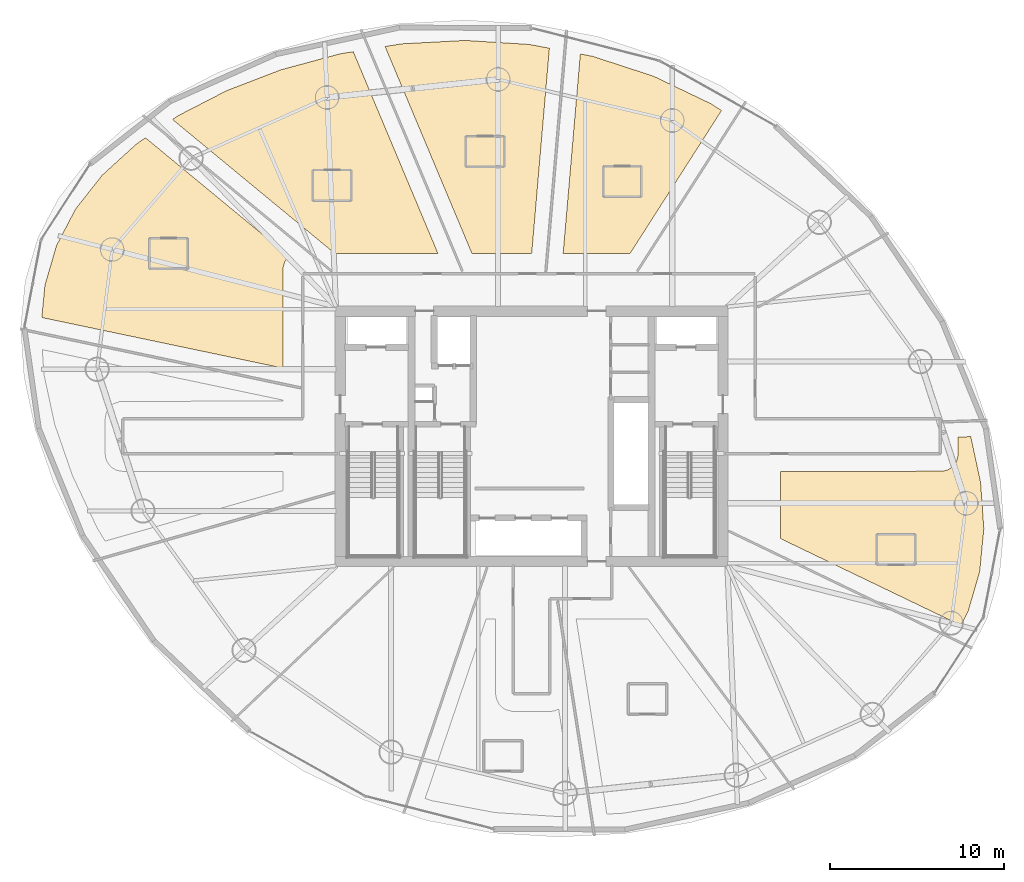
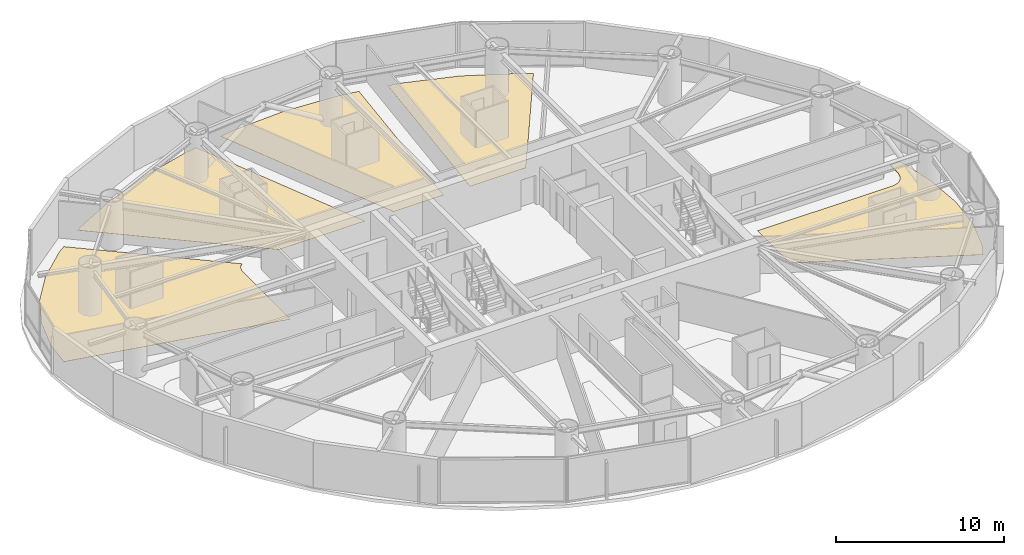
# One storey, part 22 of 22: 5 coverings.
"""IFC4 building model written with IfcOpenShell, lengths in metres."""

from ifc_helpers import new_model, si_unit, direction, frame, origin, place, context, subcontext, project, spatial, polyline, outline, extrude, material, layer, layer_set, type_object, element, save


model = new_model("IFC4")

# Units and contexts
model_context = context("Model", 3, precision=1e-05, world=origin(), true_north=direction((0.0, 1.0)))
body_context = subcontext(model_context, "Body", "Model", "MODEL_VIEW")
ifc_project = project(units=[si_unit("LENGTHUNIT", "METRE"), si_unit("AREAUNIT", "SQUARE_METRE"), si_unit("VOLUMEUNIT", "CUBIC_METRE"), si_unit("PLANEANGLEUNIT", "RADIAN"), si_unit("MASSUNIT", "GRAM", prefix="KILO")], contexts=[model_context])

# Site, building, storey
site_placement = place(None, origin())
site = spatial("IfcSite", under=ifc_project, at=site_placement, CompositionType="ELEMENT")
building_placement = place(site_placement, origin())
building = spatial("IfcBuilding", under=site, at=building_placement, Name="Bramvorn Convention Spire", CompositionType="ELEMENT")
storey_placement = place(building_placement, frame((0.0, 0.0, 120.300048828125)))
storey = spatial("IfcBuildingStorey", under=building, at=storey_placement, Name="L29", CompositionType="ELEMENT", Elevation=120.300048828125)

# Coverings
ifc_material = material(Name="Solution-Dyed Wool Broadloom Hospitality Carpet", Category="textile")
ifc_layer = layer(ifc_material, 0.014892578125)
ifc_layer_set = layer_set([ifc_layer], Name="Solution-Dyed Wool Broadloom Hospitality Carpet - FLR-CARPET-15")
covering_type = type_object("IfcCoveringType", Name="FLR-CARPET-15", PredefinedType="FLOORING", material=ifc_layer_set)
covering_1_placement = place(storey_placement, origin())
element("IfcCovering", 1, at=covering_1_placement, inside=storey, type_object=covering_type, Name="Hotel Suite 2903 wool broadloom carpet", PredefinedType="FLOORING", context=body_context, shape_type="SweptSolid", body=[
    extrude(outline(polyline([(41.495849609375, 47.84619140625), (40.79638671875, 47.9775390625), (39.807861328125, 36.5), (43.650390625, 36.5), (48.9150390625, 44.72705078125), (48.338134765625, 45.102294921875), (45.007568359375, 46.7001953125), (41.495849609375, 47.84619140625)])), origin(), (0.0, 0.0, 1.0), 0.014892578125),
])
covering_2_placement = place(storey_placement, origin())
element("IfcCovering", 2, at=covering_2_placement, inside=storey, type_object=covering_type, Name="Hotel Suite 2904 wool broadloom carpet", PredefinedType="FLOORING", context=body_context, shape_type="SweptSolid", body=[
    extrude(outline(polyline([(30.512451171875, 48.561767578125), (29.570556640625, 48.408203125), (34.56884765625, 36.5), (38.001220703125, 36.5), (39.0185546875, 48.3115234375), (37.8623046875, 48.52880859375), (34.17578125, 48.758056640625), (30.512451171875, 48.561767578125)])), origin(), (0.0, 0.0, 1.0), 0.014892578125),
])
covering_3_placement = place(storey_placement, origin())
element("IfcCovering", 3, at=covering_3_placement, inside=storey, type_object=covering_type, Name="Hotel Suite 2905 wool broadloom carpet", PredefinedType="FLOORING", context=body_context, shape_type="SweptSolid", body=[
    extrude(outline(polyline([(17.682373046875, 44.4375), (17.350830078125, 44.212158203125), (26.693603515625, 36.5), (32.61669921875, 36.5), (27.743408203125, 48.110595703125), (26.952880859375, 47.981689453125), (23.578369140625, 47.0673828125), (20.465576171875, 45.870361328125), (17.682373046875, 44.4375)])), origin(), (0.0, 0.0, 1.0), 0.014892578125),
])
covering_4_placement = place(storey_placement, origin())
element("IfcCovering", 4, at=covering_4_placement, inside=storey, type_object=covering_type, Name="Hotel Suite 2906 wool broadloom carpet", PredefinedType="FLOORING", context=body_context, shape_type="SweptSolid", body=[
    extrude(outline(polyline([(23.699951171875, 29.9189453125), (23.704345703125, 35.688232421875), (23.806396484375, 36.0244140625), (23.904296875, 36.1708984375), (24.073486328125, 36.32861328125), (15.7998046875, 43.158447265625), (15.283935546875, 42.80810546875), (13.30859375, 41.010986328125), (11.773681640625, 39.060791015625), (10.678955078125, 36.955322265625), (10.015625, 34.6767578125), (9.837646484375, 32.82666015625), (23.699951171875, 29.9189453125)])), origin(), (0.0, 0.0, 1.0), 0.014892578125),
])
covering_5_placement = place(storey_placement, origin())
element("IfcCovering", 5, at=covering_5_placement, inside=storey, type_object=covering_type, Name="Hotel Suite 2913 wool broadloom carpet", PredefinedType="FLOORING", context=body_context, shape_type="SweptSolid", body=[
    extrude(outline(polyline([(62.52001953125, 25.955810546875), (62.518310546875, 24.944091796875), (62.424560546875, 24.5693359375), (62.315673828125, 24.3876953125), (62.1123046875, 24.184326171875), (61.9306640625, 24.075439453125), (61.655517578125, 23.991943359375), (52.300048828125, 23.97998046875), (52.300048828125, 20.118896484375), (62.672607421875, 15.128662109375), (63.093505859375, 15.93798828125), (63.7568359375, 18.216552734375), (63.994384765625, 20.686767578125), (63.807861328125, 23.350830078125), (63.243408203125, 25.98095703125), (62.52001953125, 25.955810546875)])), origin(), (0.0, 0.0, 1.0), 0.014892578125),
])

save(model, "model.ifc")
